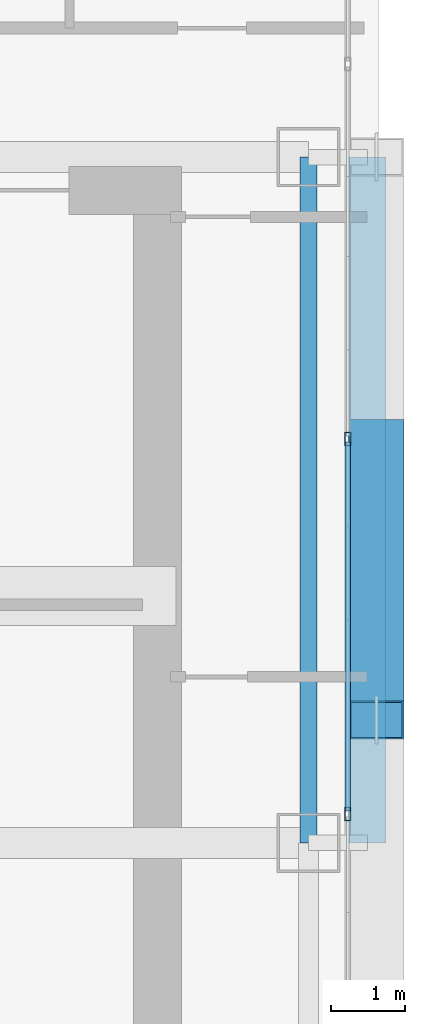
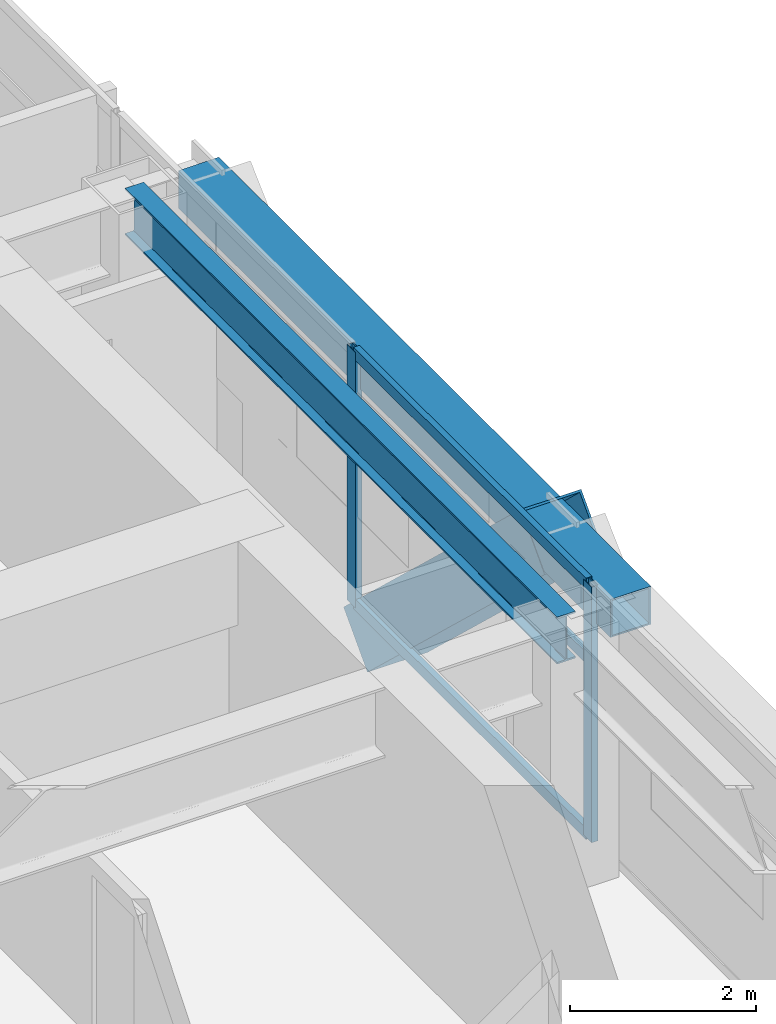
# One storey, part 15 of 35: 6 members, 2 beams, 1 element without a shape of its own.
"""IFC4 building model written with IfcOpenShell, lengths in metres."""

from ifc_helpers import new_model, si_unit, direction, frame, origin, origin_2d, place, context, subcontext, project, spatial, hollow_rectangle, i_section, extrude, source, transform, mapped, material, layer, layer_set, material_profile, profile_set, type_object, element, aggregate, save


model = new_model("IFC4")

# Units and contexts
model_context = context("Model", 3, precision=1e-05, world=origin(), true_north=direction((0.0, 1.0)))
body_context = subcontext(model_context, "Body", "Model", "MODEL_VIEW")
ifc_project = project(units=[si_unit("LENGTHUNIT", "METRE"), si_unit("AREAUNIT", "SQUARE_METRE"), si_unit("VOLUMEUNIT", "CUBIC_METRE"), si_unit("PLANEANGLEUNIT", "RADIAN"), si_unit("MASSUNIT", "GRAM", prefix="KILO")], contexts=[model_context])

# Site, building, storey
site_placement = place(None, origin())
site = spatial("IfcSite", under=ifc_project, at=site_placement, CompositionType="ELEMENT")
building_placement = place(site_placement, origin())
building = spatial("IfcBuilding", under=site, at=building_placement, Name="Ocotamira Hotel", CompositionType="ELEMENT")
storey_placement = place(building_placement, frame((0.0, 0.0, 122.39990234375)))
storey = spatial("IfcBuildingStorey", under=building, at=storey_placement, Name="L30", CompositionType="ELEMENT", Elevation=122.39990234375)

# Beams
ifc_material_1 = material(Name="Steel ASTM A992 Grade 50", Category="steel")
ifc_material_profile_1 = material_profile(ifc_material_1, i_section(OverallWidth=0.22998046875, OverallDepth=0.616943359375, WebThickness=0.01318359375, FlangeThickness=0.022216796875, FilletRadius=0.012939453125, at=origin_2d()), Name="W24X94")
ifc_profile_set_1 = profile_set([ifc_material_profile_1], Name="Steel ASTM A992 Grade 50")
beam_type_1 = type_object("IfcBeamType", Name="BM-PRIM-W24X94", PredefinedType="BEAM", material=ifc_profile_set_1)
shared_shape_1 = source(origin(), body_context, "Body", "SweptSolid", [
    extrude(i_section(OverallWidth=0.22998046875, OverallDepth=0.616943359375, WebThickness=0.01318359375, FlangeThickness=0.022216796875, FilletRadius=0.012939453125, at=origin_2d()), origin(), (0.0, 0.0, 1.0), 9.300048828125),
])
beam_1_placement = place(storey_placement, frame((55.050048828125, 28.14990234375, 3.051513671875), z_axis=(0.0, 1.0, 0.0), x_axis=(-1.0, 0.0, 0.0)))
element("IfcBeam", 1, at=beam_1_placement, inside=storey, type_object=beam_type_1, Name="L30 Beam X55.05 Y28.15-37.45", PredefinedType="BEAM", context=body_context, shape_type="MappedRepresentation", body=[
    mapped(shared_shape_1, transform((0.0, 0.0, 0.0), scale=1.0)),
])
ifc_material_2 = material(Name="Steel ASTM A500 Grade C", Category="steel")
ifc_material_profile_2 = material_profile(ifc_material_2, hollow_rectangle(XDim=0.5, YDim=0.5, WallThickness=0.02001953125, at=origin_2d()), Name="HSS500X500X20")
ifc_profile_set_2 = profile_set([ifc_material_profile_2], Name="Steel ASTM A500 Grade C")
beam_type_2 = type_object("IfcBeamType", Name="BM-SPAN-HSS500", PredefinedType="USERDEFINED", material=ifc_profile_set_2)
shared_shape_2 = source(origin(), body_context, "Body", "SweptSolid", [
    extrude(hollow_rectangle(XDim=0.5, YDim=0.5, WallThickness=0.02001953125, at=origin_2d()), origin(), (0.0, 0.0, 1.0), 9.300048828125),
])
beam_2_placement = place(storey_placement, frame((55.85009765625, 28.14990234375, 3.110107421875), z_axis=(0.0, 1.0, 0.0), x_axis=(-1.0, 0.0, 0.0)))
element("IfcBeam", 2, at=beam_2_placement, inside=storey, type_object=beam_type_2, Name="L30 Edge Spandrel E Y28.15-37.45", ObjectType="SPANDREL", PredefinedType="USERDEFINED", context=body_context, shape_type="MappedRepresentation", body=[
    mapped(shared_shape_2, transform((0.0, 0.0, 0.0), scale=1.0)),
])

# Member
ifc_material_3 = material(Name="Pale-metal coated steel ASTM A913 Grade 65", Category="steel")
ifc_material_profile_3 = material_profile(ifc_material_3, hollow_rectangle(XDim=0.75, YDim=0.75, WallThickness=0.028076171875, at=origin_2d()), Name="BOX750X750X28")
ifc_profile_set_3 = profile_set([ifc_material_profile_3], Name="Pale-metal coated steel ASTM A913 Grade 65")
member_type_1 = type_object("IfcMemberType", Name="MEM-EXO-BOX750", PredefinedType="BRACE", material=ifc_profile_set_3)
shared_shape_3 = source(origin(), body_context, "Body", "SweptSolid", [
    extrude(hollow_rectangle(XDim=0.75, YDim=0.75, WallThickness=0.028076171875, at=origin_2d()), origin(), (0.0, 0.0, 1.0), 5.24658203125),
])
member_1_placement = place(storey_placement, frame((55.969970703125, 33.63330078125, -0.489990234375), z_axis=(0.0, -0.727442733726, 0.686168397078), x_axis=(1.0, 0.0, 0.0)))
element("IfcMember", 3, at=member_1_placement, inside=storey, type_object=member_type_1, Name="L30 Exoskeleton Diagrid E2.1", PredefinedType="BRACE", context=body_context, shape_type="MappedRepresentation", body=[
    mapped(shared_shape_3, transform((0.0, 0.0, 0.0), scale=1.0)),
])

# Curtain wall, members
ifc_material_4 = material(Name="Anodised pale-metal aluminium and solar glass", Category="aluminium")
ifc_layer = layer(ifc_material_4, 0.179931640625)
ifc_layer_set = layer_set([ifc_layer], Name="Anodised pale-metal aluminium and solar glass")
curtain_wall_type = type_object("IfcCurtainWallType", Name="CW-SYS3-Z2", PredefinedType="NOTDEFINED", material=ifc_layer_set)
curtain_wall_placement = place(storey_placement, origin())
curtain_wall = element("IfcCurtainWall", 4, at=curtain_wall_placement, inside=storey, type_object=curtain_wall_type, Name="L30 Curtain Wall CW-3 CW-L30-E", PredefinedType="NOTDEFINED")
ifc_material_5 = material(Name="Anodised pale-metal aluminium 6063-T6", Category="aluminium")
ifc_material_profile_4 = material_profile(ifc_material_5, hollow_rectangle(XDim=0.074951171875, YDim=0.14990234375, WallThickness=0.006103515625, at=origin_2d()), Name="HSS150X75X6")
ifc_profile_set_4 = profile_set([ifc_material_profile_4], Name="Anodised pale-metal aluminium 6063-T6")
member_type_2 = type_object("IfcMemberType", Name="CWT-150X75", PredefinedType="USERDEFINED", material=ifc_profile_set_4)
shared_shape_4 = source(origin(), body_context, "Body", "SweptSolid", [
    extrude(hollow_rectangle(XDim=0.074951171875, YDim=0.14990234375, WallThickness=0.006103515625, at=origin_2d()), origin(), (0.0, 0.0, 1.0), 5.005859375),
])
member_2_placement = place(storey_placement, frame((55.580078125, 28.582763671875, 0.03759765625), z_axis=(0.0, 1.0, 0.0), x_axis=(-1.0, 0.0, 0.0)))
member_2 = element("IfcMember", 5, at=member_2_placement, type_object=member_type_2, Name="CW-3 transom 5.1", ObjectType="TRANSOM", PredefinedType="USERDEFINED", context=body_context, shape_type="MappedRepresentation", body=[
    mapped(shared_shape_4, transform((0.0, 0.0, 0.0), scale=1.0)),
])
member_3_placement = place(storey_placement, frame((55.580078125, 28.582763671875, 2.35009765625), z_axis=(0.0, 1.0, 0.0), x_axis=(-1.0, 0.0, 0.0)))
member_3 = element("IfcMember", 6, at=member_3_placement, type_object=member_type_2, Name="CW-3 transom 5.2", ObjectType="TRANSOM", PredefinedType="USERDEFINED", context=body_context, shape_type="MappedRepresentation", body=[
    mapped(shared_shape_4, transform((0.0, 0.0, 0.0), scale=1.0)),
])
member_4_placement = place(storey_placement, frame((55.580078125, 28.582763671875, 3.322509765625), z_axis=(0.0, 1.0, 0.0), x_axis=(-1.0, 0.0, 0.0)))
member_4 = element("IfcMember", 7, at=member_4_placement, type_object=member_type_2, Name="CW-3 transom 5.3", ObjectType="TRANSOM", PredefinedType="USERDEFINED", context=body_context, shape_type="MappedRepresentation", body=[
    mapped(shared_shape_4, transform((0.0, 0.0, 0.0), scale=1.0)),
])
ifc_material_profile_5 = material_profile(ifc_material_5, hollow_rectangle(XDim=0.080078125, YDim=0.179931640625, WallThickness=0.006103515625, at=origin_2d()), Name="HSS180X80X6")
ifc_profile_set_5 = profile_set([ifc_material_profile_5], Name="Anodised pale-metal aluminium 6063-T6")
member_type_3 = type_object("IfcMemberType", Name="CWM-180X75", PredefinedType="MULLION", material=ifc_profile_set_5)
shared_shape_5 = source(origin(), body_context, "Body", "SweptSolid", [
    extrude(hollow_rectangle(XDim=0.080078125, YDim=0.179931640625, WallThickness=0.006103515625, at=origin_2d()), origin(), (0.0, 0.0, 1.0), 3.360107421875),
])
member_5_placement = place(storey_placement, frame((55.580078125, 28.54296875, 0.0), z_axis=(0.0, 0.0, 1.0), x_axis=(-1.0, 0.0, 0.0)))
member_5 = element("IfcMember", 8, at=member_5_placement, type_object=member_type_3, Name="CW-3 mullion 5", PredefinedType="MULLION", context=body_context, shape_type="MappedRepresentation", body=[
    mapped(shared_shape_5, transform((0.0, 0.0, 0.0), scale=1.0)),
])
member_6_placement = place(storey_placement, frame((55.580078125, 33.628662109375, 0.0), z_axis=(0.0, 0.0, 1.0), x_axis=(-1.0, 0.0, 0.0)))
member_6 = element("IfcMember", 9, at=member_6_placement, type_object=member_type_3, Name="CW-3 mullion 6", PredefinedType="MULLION", context=body_context, shape_type="MappedRepresentation", body=[
    mapped(shared_shape_5, transform((0.0, 0.0, 0.0), scale=1.0)),
])
aggregate(curtain_wall, [member_5, member_6, member_2, member_3, member_4])

save(model, "model.ifc")
